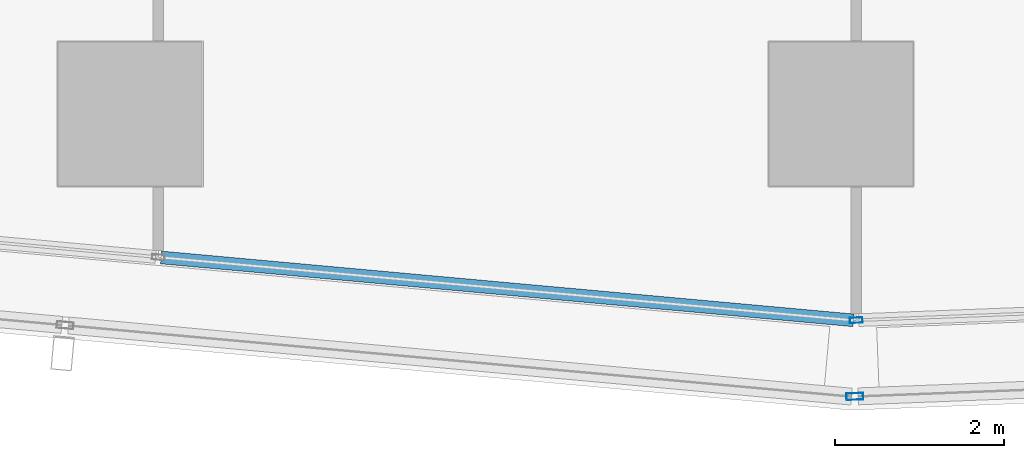
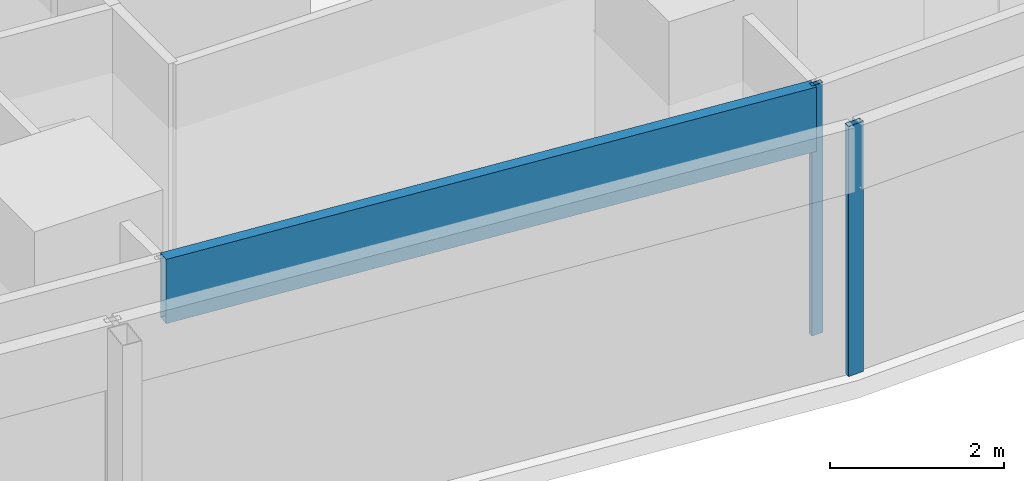
# One storey, part 5 of 40: 3 members, 3 elements without a shape of their own.
"""IFC4 building model written with IfcOpenShell, lengths in metres."""

import ifcopenshell
import ifcopenshell.guid

model = None  # the IFC model being written
_history = None  # IfcOwnerHistory: only IFC2X3 demands one
_inside = {}  # id of a spatial element -> (the spatial element, [elements in it])
_under = {}  # id of a project, library or spatial element -> (it, [spatial elements below it])
_declared = {}  # id of a project -> (the project, [libraries it declares])
_typed = {}  # id of a type object -> (the type object, [elements of that type])
_made_of = {}  # id of a material, layer set ... -> (it, [elements and type objects made of it])


def new_model(schema):
    """Start an empty IFC model of exactly this schema.

    Asked for "IFC4X3", IfcOpenShell would pick the latest addendum, in which some entities
    have other attributes; the version numbers below select the first issue.
    IFC2X3 requires an IfcOwnerHistory on every rooted entity: one is made here for all.
    """
    global model, _history
    if schema == "IFC4X3":
        model = ifcopenshell.file(schema_version=(4, 3, 0, 0))
    else:
        model = ifcopenshell.file(schema=schema)
    _inside.clear()
    _under.clear()
    _declared.clear()
    _typed.clear()
    _made_of.clear()
    _history = None
    if model.schema == "IFC2X3":
        org = make("IfcOrganization", Name="unknown")
        user = make(
            "IfcPersonAndOrganization",
            ThePerson=make("IfcPerson", FamilyName="unknown"),
            TheOrganization=org,
        )
        app = make(
            "IfcApplication",
            ApplicationDeveloper=org,
            Version="unknown",
            ApplicationFullName="unknown",
            ApplicationIdentifier="unknown",
        )
        _history = make(
            "IfcOwnerHistory",
            OwningUser=user,
            OwningApplication=app,
            ChangeAction="ADDED",
            CreationDate=0,
        )
    return model


def make(cls, **values):
    """One entity of the class cls with the attributes given. An attribute that is None is left unset."""
    return model.create_entity(
        cls, **{name: value for name, value in values.items() if value is not None}
    )


def rooted(cls, **values):
    """An entity with a GlobalId (a new one), such as an element, a storey or a relation."""
    return make(cls, GlobalId=ifcopenshell.guid.new(), OwnerHistory=_history, **values)


def si_unit(unit_type, name, prefix=None):
    """IfcSIUnit, for example si_unit("LENGTHUNIT", "METRE", prefix="MILLI")."""
    return make("IfcSIUnit", UnitType=unit_type, Prefix=prefix, Name=name)


def assignment(units):
    """IfcUnitAssignment: the units of a project."""
    return None if units is None else make("IfcUnitAssignment", Units=units)


def point(xyz):
    """IfcCartesianPoint."""
    return None if xyz is None else make("IfcCartesianPoint", Coordinates=xyz)


def direction(xyz):
    """IfcDirection."""
    return None if xyz is None else make("IfcDirection", DirectionRatios=xyz)


def frame(location, z_axis=None, x_axis=None):
    """IfcAxis2Placement3D, a coordinate frame: its origin and axes. An axis left out is left unset."""
    return make(
        "IfcAxis2Placement3D",
        Location=point(location),
        Axis=direction(z_axis),
        RefDirection=direction(x_axis),
    )


def frame_2d(location, x_axis=None):
    """IfcAxis2Placement2D, a coordinate frame in the plane: its origin and x axis."""
    return make(
        "IfcAxis2Placement2D", Location=point(location), RefDirection=direction(x_axis)
    )


def origin():
    """The frame at (0, 0, 0) with its axes left unset."""
    return frame((0.0, 0.0, 0.0))


def origin_2d():
    """The frame at (0, 0) in the plane with its x axis left unset."""
    return frame_2d((0.0, 0.0))


def place(relative_to, where):
    """IfcLocalPlacement: puts the frame where relative to a parent placement (None: the world)."""
    return make(
        "IfcLocalPlacement", PlacementRelTo=relative_to, RelativePlacement=where
    )


def context(
    kind, dimensions, precision=None, world=None, true_north=None, identifier=None
):
    """IfcGeometricRepresentationContext, for example the 3D "Model" context."""
    return make(
        "IfcGeometricRepresentationContext",
        ContextIdentifier=identifier,
        ContextType=kind,
        CoordinateSpaceDimension=dimensions,
        Precision=precision,
        WorldCoordinateSystem=world,
        TrueNorth=true_north,
    )


def subcontext(parent, identifier, kind, view, scale=None):
    """IfcGeometricRepresentationSubContext, for example "Body" below "Model"."""
    return make(
        "IfcGeometricRepresentationSubContext",
        ContextIdentifier=identifier,
        ContextType=kind,
        ParentContext=parent,
        TargetScale=scale,
        TargetView=view,
    )


def project(units=None, contexts=None):
    """IfcProject with its units and contexts."""
    return rooted(
        "IfcProject",
        Name="project",
        RepresentationContexts=contexts,
        UnitsInContext=assignment(units),
    )


def spatial(cls, under=None, at=None, **own):
    """A site, building, storey or space (cls), placed at a placement, below another one or the project."""
    s = rooted(cls, ObjectPlacement=at, **own)
    if under is not None:
        _under.setdefault(under.id(), (under, []))[1].append(s)
    return s


def profile(cls, at=None, kind="AREA", **sizes):
    """A parametric profile (cls). Its sizes go by their IFC names, for example OverallWidth=200.0."""
    return make(cls, ProfileType=kind, Position=at, **sizes)


def hollow_rectangle(**sizes):
    """IfcRectangleHollowProfileDef."""
    return profile("IfcRectangleHollowProfileDef", **sizes)


def extrude(swept, where, along, depth):
    """IfcExtrudedAreaSolid: the profile swept, set in the frame where, extruded along a direction by depth."""
    return make(
        "IfcExtrudedAreaSolid",
        SweptArea=swept,
        Position=where,
        ExtrudedDirection=direction(along),
        Depth=depth,
    )


def shape(context_of_items, identifier, shape_type, items):
    """IfcShapeRepresentation: the items that make up one representation, for example the "Body"."""
    return make(
        "IfcShapeRepresentation",
        ContextOfItems=context_of_items,
        RepresentationIdentifier=identifier,
        RepresentationType=shape_type,
        Items=items,
    )


def material(Name=None, Category=None):
    """IfcMaterial."""
    return make("IfcMaterial", Name=Name, Category=Category)


def material_profile(
    of_material, cross_section, Name=None, Category=None, Priority=None
):
    """IfcMaterialProfile: a cross section and its material."""
    return make(
        "IfcMaterialProfile",
        Name=Name,
        Material=of_material,
        Profile=cross_section,
        Priority=Priority,
        Category=Category,
    )


def profile_set(profiles, Name=None, composite=None):
    """IfcMaterialProfileSet."""
    return make(
        "IfcMaterialProfileSet",
        Name=Name,
        MaterialProfiles=profiles,
        CompositeProfile=composite,
    )


def made_of(thing, what):
    """Note that an element or type object is made of a material, layer set ...; save() writes the relation."""
    if what is not None:
        _made_of.setdefault(what.id(), (what, []))[1].append(thing)
    return thing


def type_object(cls, material=None, **own):
    """A type object (cls), such as IfcWallType, which elements share."""
    return made_of(rooted(cls, **own), material)


def element(
    cls,
    number,
    at=None,
    inside=None,
    cuts=None,
    type_object=None,
    material=None,
    context=None,
    identifier="Body",
    shape_type=None,
    held_by="IfcProductDefinitionShape",
    body=None,
    shapes=None,
    **own,
):
    """One element of the class cls, such as IfcWall. Its Tag is "e" and its number.

    at: its placement. inside: the storey or other place that contains it. cuts: it is an
    opening in that element (IfcRelVoidsElement). A single representation is given by context,
    identifier, shape_type and body (its items); several are given by shapes. held_by: the class
    of the entity that holds the representations. save() writes the other relations.
    """
    e = rooted(cls, Tag="e%d" % number, ObjectPlacement=at, **own)
    if body is not None:
        shapes = [shape(context, identifier, shape_type, body)]
    if shapes is not None:
        e.Representation = make(held_by, Representations=shapes)
    if inside is not None:
        _inside.setdefault(inside.id(), (inside, []))[1].append(e)
    if cuts is not None:
        rooted(
            "IfcRelVoidsElement", RelatingBuildingElement=cuts, RelatedOpeningElement=e
        )
    if type_object is not None:
        _typed.setdefault(type_object.id(), (type_object, []))[1].append(e)
    return made_of(e, material)


def aggregate(whole, parts):
    """IfcRelAggregates: a whole, such as a stair, and the parts it consists of."""
    return rooted("IfcRelAggregates", RelatingObject=whole, RelatedObjects=parts)


def save(model, path):
    """Write the relations noted so far, then the file.

    IfcRelAggregates (storeys below a building ...), IfcRelContainedInSpatialStructure (elements
    in a storey), IfcRelDefinesByType, IfcRelAssociatesMaterial and IfcRelDeclares: one each for
    every whole, place, type object, material and project.
    """
    for whole, parts in _under.values():
        aggregate(whole, parts)
    for where, things in _inside.values():
        rooted(
            "IfcRelContainedInSpatialStructure",
            RelatedElements=things,
            RelatingStructure=where,
        )
    for kind, things in _typed.values():
        rooted("IfcRelDefinesByType", RelatedObjects=things, RelatingType=kind)
    for what, things in _made_of.values():
        rooted("IfcRelAssociatesMaterial", RelatedObjects=things, RelatingMaterial=what)
    for by, libraries in _declared.values():
        rooted("IfcRelDeclares", RelatingContext=by, RelatedDefinitions=libraries)
    model.write(path)


model = new_model("IFC4")

# Units and contexts
model_context = context("Model", 3, precision=1e-05, world=origin(), true_north=direction((0.0, 1.0)))
body_context = subcontext(model_context, "Body", "Model", "MODEL_VIEW")
ifc_project = project(units=[si_unit("LENGTHUNIT", "METRE"), si_unit("AREAUNIT", "SQUARE_METRE"), si_unit("VOLUMEUNIT", "CUBIC_METRE"), si_unit("PLANEANGLEUNIT", "RADIAN"), si_unit("MASSUNIT", "GRAM", prefix="KILO")], contexts=[model_context])

# Site, building, storey
site_placement = place(None, origin())
site = spatial("IfcSite", under=ifc_project, at=site_placement, CompositionType="ELEMENT")
building_placement = place(site_placement, origin())
building = spatial("IfcBuilding", under=site, at=building_placement, Name="Rekha Terrace Tower", CompositionType="ELEMENT")
storey_placement = place(building_placement, frame((0.0, 0.0, 117.800048828125)))
storey = spatial("IfcBuildingStorey", under=building, at=storey_placement, Name="L29", CompositionType="ELEMENT", Elevation=117.800048828125)

# Curtain wall, member
ifc_material_1 = material(Name="Aluminium framing", Category="aluminium")
curtain_wall_type_1 = type_object("IfcCurtainWallType", Name="CW1 double skin inner glazing", PredefinedType="USERDEFINED", material=ifc_material_1)
curtain_wall_1_placement = place(storey_placement, origin())
curtain_wall_1 = element("IfcCurtainWall", 1, at=curtain_wall_1_placement, inside=storey, type_object=curtain_wall_type_1, Name="CW1 double skin inner glazing", ObjectType="DOUBLE SKIN INNER GLAZING", PredefinedType="USERDEFINED")
ifc_material_2 = material(Name="Aluminium mullion section", Category="aluminium")
ifc_material_profile_1 = material_profile(ifc_material_2, hollow_rectangle(XDim=0.06494140625, YDim=0.14990234375, WallThickness=0.00390625, at=origin_2d()), Name="AL RHS 65x150")
ifc_profile_set_1 = profile_set([ifc_material_profile_1], Name="Aluminium mullion section")
member_type_1 = type_object("IfcMemberType", Name="CW1 mullion RHS 65 x 150", PredefinedType="MULLION", material=ifc_profile_set_1)
member_1_placement = place(storey_placement, frame((25.3798828125, 14.363037109375, 0.0), z_axis=(0.0, 0.0, 1.0), x_axis=(-0.038889971345, 0.999243498917, 0.0)))
member_1 = element("IfcMember", 2, at=member_1_placement, type_object=member_type_1, Name="CW1 mullion 1", PredefinedType="MULLION", context=body_context, shape_type="SweptSolid", body=[
    extrude(hollow_rectangle(XDim=0.06494140625, YDim=0.14990234375, WallThickness=0.00390625, at=origin_2d()), origin(), (0.0, 0.0, 1.0), 3.5),
])
aggregate(curtain_wall_1, [member_1])

curtain_wall_2_placement = place(storey_placement, origin())
curtain_wall_2 = element("IfcCurtainWall", 3, at=curtain_wall_2_placement, inside=storey, type_object=curtain_wall_type_1, Name="CW1 double skin inner glazing", ObjectType="DOUBLE SKIN INNER GLAZING", PredefinedType="USERDEFINED")
ifc_material_3 = material(Name="Insulated aluminium spandrel box", Category="aluminium")
ifc_material_profile_2 = material_profile(ifc_material_3, hollow_rectangle(XDim=0.14990234375, YDim=0.89990234375, WallThickness=0.0029296875, at=origin_2d()), Name="AL SPANDREL BOX 150x900")
ifc_profile_set_2 = profile_set([ifc_material_profile_2], Name="Insulated aluminium spandrel box")
member_type_2 = type_object("IfcMemberType", Name="CW1 spandrel transom 150 x 900", PredefinedType="USERDEFINED", material=ifc_profile_set_2)
member_2_placement = place(storey_placement, frame((17.16650390625, 15.104736328125, 3.050048828125), z_axis=(0.995901971759, -0.090439276017, 0.0), x_axis=(0.090439276017, 0.995901971759, 0.0)))
member_2 = element("IfcMember", 4, at=member_2_placement, type_object=member_type_2, Name="CW1 spandrel transom 2", ObjectType="TRANSOM", PredefinedType="USERDEFINED", context=body_context, shape_type="SweptSolid", body=[
    extrude(hollow_rectangle(XDim=0.14990234375, YDim=0.89990234375, WallThickness=0.0029296875, at=origin_2d()), origin(), (0.0, 0.0, 1.0), 8.214599609375),
])
aggregate(curtain_wall_2, [member_2])

curtain_wall_type_2 = type_object("IfcCurtainWallType", Name="CW2 double skin outer glazing", PredefinedType="USERDEFINED", material=ifc_material_1)
curtain_wall_3_placement = place(storey_placement, origin())
curtain_wall_3 = element("IfcCurtainWall", 5, at=curtain_wall_3_placement, inside=storey, type_object=curtain_wall_type_2, Name="CW2 double skin outer glazing", ObjectType="DOUBLE SKIN OUTER GLAZING", PredefinedType="USERDEFINED")
ifc_material_profile_3 = material_profile(ifc_material_2, hollow_rectangle(XDim=0.080078125, YDim=0.199951171875, WallThickness=0.00390625, at=origin_2d()), Name="AL RHS 80x200")
ifc_profile_set_3 = profile_set([ifc_material_profile_3], Name="Aluminium mullion section")
member_type_3 = type_object("IfcMemberType", Name="CW2 mullion RHS 80 x 200", PredefinedType="MULLION", material=ifc_profile_set_3)
member_3_placement = place(storey_placement, frame((25.364013671875, 13.4619140625, 0.0), z_axis=(0.0, 0.0, 1.0), x_axis=(-0.038889971345, 0.999243498917, 0.0)))
member_3 = element("IfcMember", 6, at=member_3_placement, type_object=member_type_3, Name="CW2 mullion 1", PredefinedType="MULLION", context=body_context, shape_type="SweptSolid", body=[
    extrude(hollow_rectangle(XDim=0.080078125, YDim=0.199951171875, WallThickness=0.00390625, at=origin_2d()), origin(), (0.0, 0.0, 1.0), 3.5),
])
aggregate(curtain_wall_3, [member_3])

save(model, "model.ifc")
